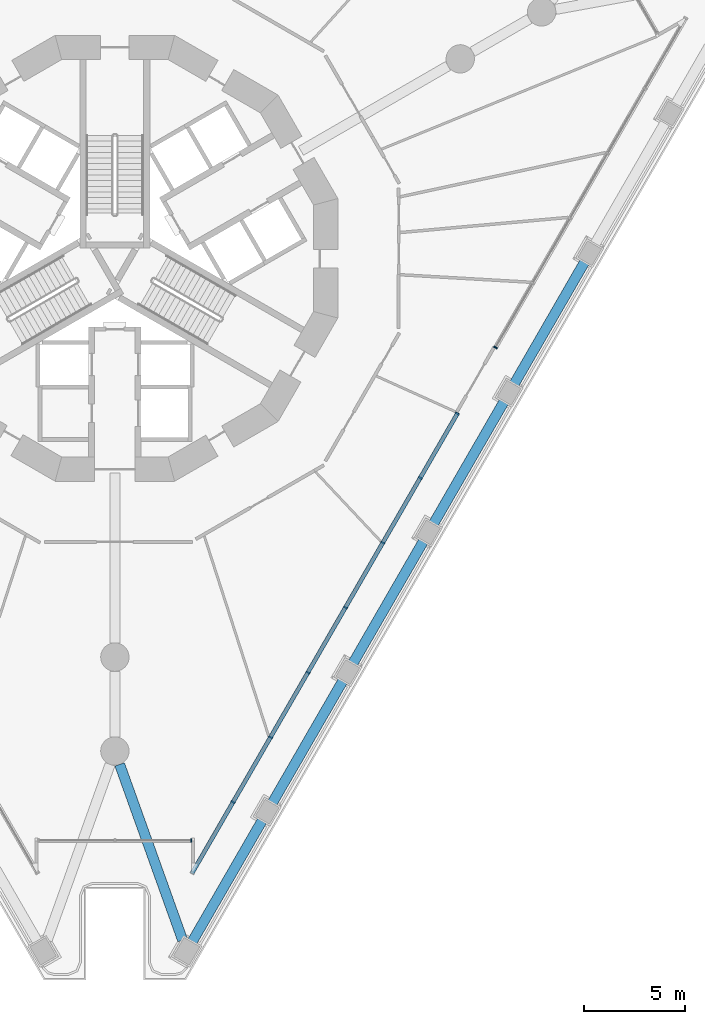
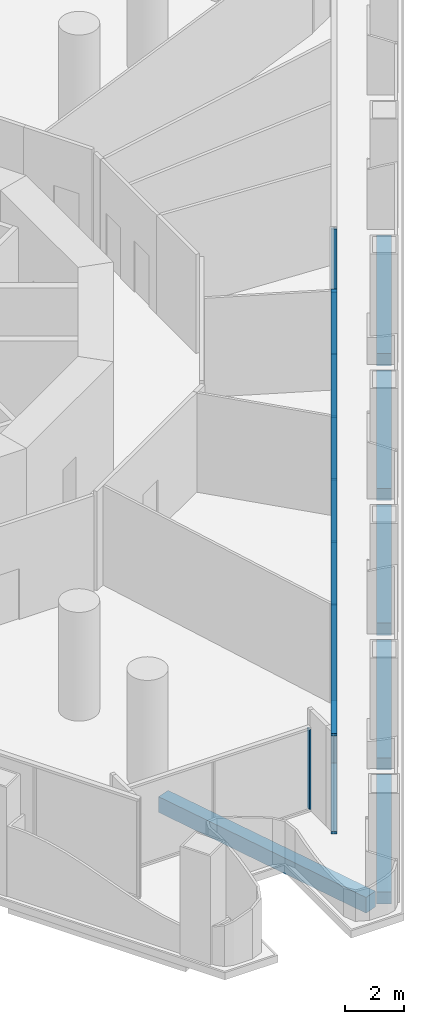
# One storey, part 4 of 21: 11 members, 6 beams, 3 elements without a shape of their own.
"""IFC4 building model written with IfcOpenShell, lengths in metres."""

import ifcopenshell
import ifcopenshell.guid

model = None  # the IFC model being written
_history = None  # IfcOwnerHistory: only IFC2X3 demands one
_inside = {}  # id of a spatial element -> (the spatial element, [elements in it])
_under = {}  # id of a project, library or spatial element -> (it, [spatial elements below it])
_declared = {}  # id of a project -> (the project, [libraries it declares])
_typed = {}  # id of a type object -> (the type object, [elements of that type])
_made_of = {}  # id of a material, layer set ... -> (it, [elements and type objects made of it])


def new_model(schema):
    """Start an empty IFC model of exactly this schema.

    Asked for "IFC4X3", IfcOpenShell would pick the latest addendum, in which some entities
    have other attributes; the version numbers below select the first issue.
    IFC2X3 requires an IfcOwnerHistory on every rooted entity: one is made here for all.
    """
    global model, _history
    if schema == "IFC4X3":
        model = ifcopenshell.file(schema_version=(4, 3, 0, 0))
    else:
        model = ifcopenshell.file(schema=schema)
    _inside.clear()
    _under.clear()
    _declared.clear()
    _typed.clear()
    _made_of.clear()
    _history = None
    if model.schema == "IFC2X3":
        org = make("IfcOrganization", Name="unknown")
        user = make(
            "IfcPersonAndOrganization",
            ThePerson=make("IfcPerson", FamilyName="unknown"),
            TheOrganization=org,
        )
        app = make(
            "IfcApplication",
            ApplicationDeveloper=org,
            Version="unknown",
            ApplicationFullName="unknown",
            ApplicationIdentifier="unknown",
        )
        _history = make(
            "IfcOwnerHistory",
            OwningUser=user,
            OwningApplication=app,
            ChangeAction="ADDED",
            CreationDate=0,
        )
    return model


def make(cls, **values):
    """One entity of the class cls with the attributes given. An attribute that is None is left unset."""
    return model.create_entity(
        cls, **{name: value for name, value in values.items() if value is not None}
    )


def rooted(cls, **values):
    """An entity with a GlobalId (a new one), such as an element, a storey or a relation."""
    return make(cls, GlobalId=ifcopenshell.guid.new(), OwnerHistory=_history, **values)


def si_unit(unit_type, name, prefix=None):
    """IfcSIUnit, for example si_unit("LENGTHUNIT", "METRE", prefix="MILLI")."""
    return make("IfcSIUnit", UnitType=unit_type, Prefix=prefix, Name=name)


def assignment(units):
    """IfcUnitAssignment: the units of a project."""
    return None if units is None else make("IfcUnitAssignment", Units=units)


def point(xyz):
    """IfcCartesianPoint."""
    return None if xyz is None else make("IfcCartesianPoint", Coordinates=xyz)


def direction(xyz):
    """IfcDirection."""
    return None if xyz is None else make("IfcDirection", DirectionRatios=xyz)


def frame(location, z_axis=None, x_axis=None):
    """IfcAxis2Placement3D, a coordinate frame: its origin and axes. An axis left out is left unset."""
    return make(
        "IfcAxis2Placement3D",
        Location=point(location),
        Axis=direction(z_axis),
        RefDirection=direction(x_axis),
    )


def frame_2d(location, x_axis=None):
    """IfcAxis2Placement2D, a coordinate frame in the plane: its origin and x axis."""
    return make(
        "IfcAxis2Placement2D", Location=point(location), RefDirection=direction(x_axis)
    )


def origin():
    """The frame at (0, 0, 0) with its axes left unset."""
    return frame((0.0, 0.0, 0.0))


def origin_2d():
    """The frame at (0, 0) in the plane with its x axis left unset."""
    return frame_2d((0.0, 0.0))


def place(relative_to, where):
    """IfcLocalPlacement: puts the frame where relative to a parent placement (None: the world)."""
    return make(
        "IfcLocalPlacement", PlacementRelTo=relative_to, RelativePlacement=where
    )


def context(
    kind, dimensions, precision=None, world=None, true_north=None, identifier=None
):
    """IfcGeometricRepresentationContext, for example the 3D "Model" context."""
    return make(
        "IfcGeometricRepresentationContext",
        ContextIdentifier=identifier,
        ContextType=kind,
        CoordinateSpaceDimension=dimensions,
        Precision=precision,
        WorldCoordinateSystem=world,
        TrueNorth=true_north,
    )


def subcontext(parent, identifier, kind, view, scale=None):
    """IfcGeometricRepresentationSubContext, for example "Body" below "Model"."""
    return make(
        "IfcGeometricRepresentationSubContext",
        ContextIdentifier=identifier,
        ContextType=kind,
        ParentContext=parent,
        TargetScale=scale,
        TargetView=view,
    )


def project(units=None, contexts=None):
    """IfcProject with its units and contexts."""
    return rooted(
        "IfcProject",
        Name="project",
        RepresentationContexts=contexts,
        UnitsInContext=assignment(units),
    )


def spatial(cls, under=None, at=None, **own):
    """A site, building, storey or space (cls), placed at a placement, below another one or the project."""
    s = rooted(cls, ObjectPlacement=at, **own)
    if under is not None:
        _under.setdefault(under.id(), (under, []))[1].append(s)
    return s


def profile(cls, at=None, kind="AREA", **sizes):
    """A parametric profile (cls). Its sizes go by their IFC names, for example OverallWidth=200.0."""
    return make(cls, ProfileType=kind, Position=at, **sizes)


def rectangle(**sizes):
    """IfcRectangleProfileDef."""
    return profile("IfcRectangleProfileDef", **sizes)


def extrude(swept, where, along, depth):
    """IfcExtrudedAreaSolid: the profile swept, set in the frame where, extruded along a direction by depth."""
    return make(
        "IfcExtrudedAreaSolid",
        SweptArea=swept,
        Position=where,
        ExtrudedDirection=direction(along),
        Depth=depth,
    )


def shape(context_of_items, identifier, shape_type, items):
    """IfcShapeRepresentation: the items that make up one representation, for example the "Body"."""
    return make(
        "IfcShapeRepresentation",
        ContextOfItems=context_of_items,
        RepresentationIdentifier=identifier,
        RepresentationType=shape_type,
        Items=items,
    )


def material(Name=None, Category=None):
    """IfcMaterial."""
    return make("IfcMaterial", Name=Name, Category=Category)


def layer(
    of_material, thickness, ventilated=None, Name=None, Category=None, Priority=None
):
    """IfcMaterialLayer: one layer of a wall or slab, of a material (None: an air gap)."""
    return make(
        "IfcMaterialLayer",
        Material=of_material,
        LayerThickness=thickness,
        IsVentilated=ventilated,
        Name=Name,
        Category=Category,
        Priority=Priority,
    )


def layer_set(layers, Name=None):
    """IfcMaterialLayerSet."""
    return make("IfcMaterialLayerSet", MaterialLayers=layers, LayerSetName=Name)


def material_profile(
    of_material, cross_section, Name=None, Category=None, Priority=None
):
    """IfcMaterialProfile: a cross section and its material."""
    return make(
        "IfcMaterialProfile",
        Name=Name,
        Material=of_material,
        Profile=cross_section,
        Priority=Priority,
        Category=Category,
    )


def profile_set(profiles, Name=None, composite=None):
    """IfcMaterialProfileSet."""
    return make(
        "IfcMaterialProfileSet",
        Name=Name,
        MaterialProfiles=profiles,
        CompositeProfile=composite,
    )


def made_of(thing, what):
    """Note that an element or type object is made of a material, layer set ...; save() writes the relation."""
    if what is not None:
        _made_of.setdefault(what.id(), (what, []))[1].append(thing)
    return thing


def type_object(cls, material=None, **own):
    """A type object (cls), such as IfcWallType, which elements share."""
    return made_of(rooted(cls, **own), material)


def element(
    cls,
    number,
    at=None,
    inside=None,
    cuts=None,
    type_object=None,
    material=None,
    context=None,
    identifier="Body",
    shape_type=None,
    held_by="IfcProductDefinitionShape",
    body=None,
    shapes=None,
    **own,
):
    """One element of the class cls, such as IfcWall. Its Tag is "e" and its number.

    at: its placement. inside: the storey or other place that contains it. cuts: it is an
    opening in that element (IfcRelVoidsElement). A single representation is given by context,
    identifier, shape_type and body (its items); several are given by shapes. held_by: the class
    of the entity that holds the representations. save() writes the other relations.
    """
    e = rooted(cls, Tag="e%d" % number, ObjectPlacement=at, **own)
    if body is not None:
        shapes = [shape(context, identifier, shape_type, body)]
    if shapes is not None:
        e.Representation = make(held_by, Representations=shapes)
    if inside is not None:
        _inside.setdefault(inside.id(), (inside, []))[1].append(e)
    if cuts is not None:
        rooted(
            "IfcRelVoidsElement", RelatingBuildingElement=cuts, RelatedOpeningElement=e
        )
    if type_object is not None:
        _typed.setdefault(type_object.id(), (type_object, []))[1].append(e)
    return made_of(e, material)


def aggregate(whole, parts):
    """IfcRelAggregates: a whole, such as a stair, and the parts it consists of."""
    return rooted("IfcRelAggregates", RelatingObject=whole, RelatedObjects=parts)


def save(model, path):
    """Write the relations noted so far, then the file.

    IfcRelAggregates (storeys below a building ...), IfcRelContainedInSpatialStructure (elements
    in a storey), IfcRelDefinesByType, IfcRelAssociatesMaterial and IfcRelDeclares: one each for
    every whole, place, type object, material and project.
    """
    for whole, parts in _under.values():
        aggregate(whole, parts)
    for where, things in _inside.values():
        rooted(
            "IfcRelContainedInSpatialStructure",
            RelatedElements=things,
            RelatingStructure=where,
        )
    for kind, things in _typed.values():
        rooted("IfcRelDefinesByType", RelatedObjects=things, RelatingType=kind)
    for what, things in _made_of.values():
        rooted("IfcRelAssociatesMaterial", RelatedObjects=things, RelatingMaterial=what)
    for by, libraries in _declared.values():
        rooted("IfcRelDeclares", RelatingContext=by, RelatedDefinitions=libraries)
    model.write(path)


model = new_model("IFC4")

# Units and contexts
model_context = context("Model", 3, precision=1e-05, world=origin(), true_north=direction((0.0, 1.0)))
body_context = subcontext(model_context, "Body", "Model", "MODEL_VIEW")
ifc_project = project(units=[si_unit("LENGTHUNIT", "METRE"), si_unit("AREAUNIT", "SQUARE_METRE"), si_unit("VOLUMEUNIT", "CUBIC_METRE"), si_unit("PLANEANGLEUNIT", "RADIAN"), si_unit("MASSUNIT", "GRAM", prefix="KILO")], contexts=[model_context])

# Site, building, storey
site_placement = place(None, origin())
site = spatial("IfcSite", under=ifc_project, at=site_placement, CompositionType="ELEMENT")
building_placement = place(site_placement, origin())
building = spatial("IfcBuilding", under=site, at=building_placement, Name="Trine Commons Tower", CompositionType="ELEMENT")
storey_placement = place(building_placement, frame((0.0, 0.0, 13.5)))
storey = spatial("IfcBuildingStorey", under=building, at=storey_placement, Name="L02", CompositionType="ELEMENT", Elevation=13.5)

# Curtain wall, member
ifc_material_1 = material(Name="Corner pocket glazing: anodised aluminium frame with low-emissivity double glazed unit, laminated", Category="aluminium")
ifc_layer_1 = layer(ifc_material_1, 0.179931640625)
ifc_layer_set_1 = layer_set([ifc_layer_1], Name="Corner pocket glazing: anodised aluminium frame with low-emissivity double glazed unit, laminated")
curtain_wall_type_1 = type_object("IfcCurtainWallType", Name="Corner pocket glazing curtain wall CW8", PredefinedType="NOTDEFINED", material=ifc_layer_set_1)
curtain_wall_1_placement = place(storey_placement, origin())
curtain_wall_1 = element("IfcCurtainWall", 1, at=curtain_wall_1_placement, inside=storey, type_object=curtain_wall_type_1, Name="Corner pocket glazing L02 P3.1", PredefinedType="NOTDEFINED")
ifc_material_2 = material(Name="Anodised aluminium, bronze finish", Category="aluminium")
ifc_material_profile_1 = material_profile(ifc_material_2, rectangle(XDim=0.179931640625, YDim=0.06494140625, at=origin_2d()), Name="Mullion 65x180")
ifc_profile_set_1 = profile_set([ifc_material_profile_1], Name="Anodised aluminium, bronze finish")
member_type_1 = type_object("IfcMemberType", Name="Mullion 65x180, Anodised aluminium, bronze finish", PredefinedType="MULLION", material=ifc_profile_set_1)
member_1_placement = place(storey_placement, frame((83.767578125, 33.74072265625, 0.090087890625), z_axis=(0.0, 0.0, 1.0), x_axis=(0.0, -1.0, 0.0)))
member_1 = element("IfcMember", 2, at=member_1_placement, type_object=member_type_1, Name="CW8 mullion 1.1", PredefinedType="MULLION", context=body_context, shape_type="SweptSolid", body=[
    extrude(rectangle(XDim=0.179931640625, YDim=0.06494140625, at=origin_2d()), origin(), (0.0, 0.0, 1.0), 3.2998046875),
])
aggregate(curtain_wall_1, [member_1])

ifc_material_3 = material(Name="Podium glazing: anodised aluminium frame with low-emissivity double glazed unit", Category="aluminium")
ifc_layer_2 = layer(ifc_material_3, 0.199951171875)
ifc_layer_set_2 = layer_set([ifc_layer_2], Name="Podium glazing: anodised aluminium frame with low-emissivity double glazed unit")
curtain_wall_type_2 = type_object("IfcCurtainWallType", Name="Podium glazing curtain wall CW3", PredefinedType="NOTDEFINED", material=ifc_layer_set_2)
curtain_wall_2_placement = place(storey_placement, origin())
curtain_wall_2 = element("IfcCurtainWall", 3, at=curtain_wall_2_placement, inside=storey, type_object=curtain_wall_type_2, Name="Podium glazing L02 F2.1", PredefinedType="NOTDEFINED")
ifc_material_profile_2 = material_profile(ifc_material_2, rectangle(XDim=0.199951171875, YDim=0.074951171875, at=origin_2d()), Name="Mullion 75x200")
ifc_profile_set_2 = profile_set([ifc_material_profile_2], Name="Anodised aluminium, bronze finish")
member_type_2 = type_object("IfcMemberType", Name="Mullion 75x200, Anodised aluminium, bronze finish", PredefinedType="MULLION", material=ifc_profile_set_2)
member_2_placement = place(storey_placement, frame((98.80126953125, 58.095458984375, 0.10009765625), z_axis=(0.0, 0.0, 1.0), x_axis=(0.866025403784, -0.5, 0.0)))
member_2 = element("IfcMember", 4, at=member_2_placement, type_object=member_type_2, Name="CW3 mullion 6.1", PredefinedType="MULLION", context=body_context, shape_type="SweptSolid", body=[
    extrude(rectangle(XDim=0.199951171875, YDim=0.074951171875, at=origin_2d()), origin(), (0.0, 0.0, 1.0), 3.949951171875),
])
aggregate(curtain_wall_2, [member_2])

# Curtain wall, members
curtain_wall_3_placement = place(storey_placement, origin())
curtain_wall_3 = element("IfcCurtainWall", 5, at=curtain_wall_3_placement, inside=storey, type_object=curtain_wall_type_2, Name="Podium glazing L02 F2.2", PredefinedType="NOTDEFINED")
member_3_placement = place(storey_placement, frame((96.914306640625, 54.8271484375, 0.10009765625), z_axis=(0.0, 0.0, 1.0), x_axis=(0.866025403784, -0.5, 0.0)))
member_3 = element("IfcMember", 6, at=member_3_placement, type_object=member_type_2, Name="CW3 mullion 1.1", PredefinedType="MULLION", context=body_context, shape_type="SweptSolid", body=[
    extrude(rectangle(XDim=0.199951171875, YDim=0.074951171875, at=origin_2d()), origin(), (0.0, 0.0, 1.0), 3.949951171875),
])
member_4_placement = place(storey_placement, frame((95.08349609375, 51.65625, 0.10009765625), z_axis=(0.0, 0.0, 1.0), x_axis=(0.866025403784, -0.5, 0.0)))
member_4 = element("IfcMember", 7, at=member_4_placement, type_object=member_type_2, Name="CW3 mullion 2.1", PredefinedType="MULLION", context=body_context, shape_type="SweptSolid", body=[
    extrude(rectangle(XDim=0.199951171875, YDim=0.074951171875, at=origin_2d()), origin(), (0.0, 0.0, 1.0), 3.949951171875),
])
member_5_placement = place(storey_placement, frame((93.234130859375, 48.452880859375, 0.10009765625), z_axis=(0.0, 0.0, 1.0), x_axis=(0.866025403784, -0.5, 0.0)))
member_5 = element("IfcMember", 8, at=member_5_placement, type_object=member_type_2, Name="CW3 mullion 3.1", PredefinedType="MULLION", context=body_context, shape_type="SweptSolid", body=[
    extrude(rectangle(XDim=0.199951171875, YDim=0.074951171875, at=origin_2d()), origin(), (0.0, 0.0, 1.0), 3.949951171875),
])
member_6_placement = place(storey_placement, frame((91.384521484375, 45.24951171875, 0.10009765625), z_axis=(0.0, 0.0, 1.0), x_axis=(0.866025403784, -0.5, 0.0)))
member_6 = element("IfcMember", 9, at=member_6_placement, type_object=member_type_2, Name="CW3 mullion 4.1", PredefinedType="MULLION", context=body_context, shape_type="SweptSolid", body=[
    extrude(rectangle(XDim=0.199951171875, YDim=0.074951171875, at=origin_2d()), origin(), (0.0, 0.0, 1.0), 3.949951171875),
])
member_7_placement = place(storey_placement, frame((89.53515625, 42.046142578125, 0.10009765625), z_axis=(0.0, 0.0, 1.0), x_axis=(0.866025403784, -0.5, 0.0)))
member_7 = element("IfcMember", 10, at=member_7_placement, type_object=member_type_2, Name="CW3 mullion 5.1", PredefinedType="MULLION", context=body_context, shape_type="SweptSolid", body=[
    extrude(rectangle(XDim=0.199951171875, YDim=0.074951171875, at=origin_2d()), origin(), (0.0, 0.0, 1.0), 3.949951171875),
])
member_8_placement = place(storey_placement, frame((87.685791015625, 38.843017578125, 0.10009765625), z_axis=(0.0, 0.0, 1.0), x_axis=(0.866025403784, -0.5, 0.0)))
member_8 = element("IfcMember", 11, at=member_8_placement, type_object=member_type_2, Name="CW3 mullion 6.1", PredefinedType="MULLION", context=body_context, shape_type="SweptSolid", body=[
    extrude(rectangle(XDim=0.199951171875, YDim=0.074951171875, at=origin_2d()), origin(), (0.0, 0.0, 1.0), 3.949951171875),
])
member_9_placement = place(storey_placement, frame((85.836181640625, 35.639404296875, 0.10009765625), z_axis=(0.0, 0.0, 1.0), x_axis=(0.866025403784, -0.5, 0.0)))
member_9 = element("IfcMember", 12, at=member_9_placement, type_object=member_type_2, Name="CW3 mullion 7.1", PredefinedType="MULLION", context=body_context, shape_type="SweptSolid", body=[
    extrude(rectangle(XDim=0.199951171875, YDim=0.074951171875, at=origin_2d()), origin(), (0.0, 0.0, 1.0), 3.949951171875),
])

# Beams
ifc_material_4 = material(Name="Concrete C50/60", Category="concrete")
ifc_material_profile_3 = material_profile(ifc_material_4, rectangle(XDim=0.5, YDim=0.5, at=origin_2d()), Name="RC 500x500")
ifc_profile_set_3 = profile_set([ifc_material_profile_3], Name="Concrete C50/60")
beam_type_1 = type_object("IfcBeamType", Name="RC beam 500x500, C50/60", PredefinedType="BEAM", material=ifc_profile_set_3)
for number, where, z_axis, x_axis, name in (
    (13, (103.21533203125, 62.341064453125, -0.60009765625), (-0.499991645397, -0.866030227263, 0.0), (0.866030227263, -0.499991645397, 0.0), "Beam EB1-17 L02"),
    (14, (99.233642578125, 55.444580078125, -0.60009765625), (-0.499991645397, -0.866030227263, 0.0), (0.866030227263, -0.499991645397, 0.0), "Beam EB1-18 L02"),
    (15, (95.251953125, 48.548095703125, -0.60009765625), (-0.499991645397, -0.866030227263, 0.0), (0.866030227263, -0.499991645397, 0.0), "Beam EB1-19 L02"),
):
    element("IfcBeam", number, at=place(storey_placement, frame(where, z_axis=z_axis, x_axis=x_axis)), inside=storey, type_object=beam_type_1, Name=name, PredefinedType="BEAM", context=body_context, shape_type="SweptSolid", body=[
        extrude(rectangle(XDim=0.5, YDim=0.5, at=origin_2d()), origin(), (0.0, 0.0, 1.0), 7.01318359375),
    ])
beam_1_placement = place(storey_placement, frame((91.2705078125, 41.651611328125, -0.60009765625), z_axis=(-0.500017753321, -0.866015153657, 0.0), x_axis=(0.866015153657, -0.500017753321, 0.0)))
element("IfcBeam", 16, at=beam_1_placement, inside=storey, type_object=beam_type_1, Name="Beam EB1-20 L02", PredefinedType="BEAM", context=body_context, shape_type="SweptSolid", body=[
    extrude(rectangle(XDim=0.5, YDim=0.5, at=origin_2d()), origin(), (0.0, 0.0, 1.0), 7.013427734375),
])
beam_2_placement = place(storey_placement, frame((87.288818359375, 34.755126953125, -0.60009765625), z_axis=(-0.500022902661, -0.866012180523, 0.0), x_axis=(0.866012180523, -0.500022902661, 0.0)))
element("IfcBeam", 17, at=beam_2_placement, inside=storey, type_object=beam_type_1, Name="Beam EB1-21 L02", PredefinedType="BEAM", context=body_context, shape_type="SweptSolid", body=[
    extrude(rectangle(XDim=0.5, YDim=0.5, at=origin_2d()), origin(), (0.0, 0.0, 1.0), 6.963623046875),
])
ifc_material_profile_4 = material_profile(ifc_material_4, rectangle(XDim=0.5, YDim=0.64990234375, at=origin_2d()), Name="RC 500x650")
ifc_profile_set_4 = profile_set([ifc_material_profile_4], Name="Concrete C50/60")
beam_type_2 = type_object("IfcBeamType", Name="RC beam 500x650, C50/60", PredefinedType="BEAM", material=ifc_profile_set_4)
beam_3_placement = place(storey_placement, frame((83.345458984375, 28.8251953125, -0.675048828125), z_axis=(-0.337305880684, 0.941395104542, 0.0), x_axis=(-0.941395104542, -0.337305880684, 0.0)))
element("IfcBeam", 18, at=beam_3_placement, inside=storey, type_object=beam_type_2, Name="Beam CB1-05 L02", PredefinedType="BEAM", context=body_context, shape_type="SweptSolid", body=[
    extrude(rectangle(XDim=0.5, YDim=0.64990234375, at=origin_2d()), origin(), (0.0, 0.0, 1.0), 9.218994140625),
])

# Member
ifc_material_profile_5 = material_profile(ifc_material_2, rectangle(XDim=0.199951171875, YDim=0.10009765625, at=origin_2d()), Name="Transom 100x200")
ifc_profile_set_5 = profile_set([ifc_material_profile_5], Name="Anodised aluminium, bronze finish")
member_type_3 = type_object("IfcMemberType", Name="Transom 100x200, Anodised aluminium, bronze finish", PredefinedType="USERDEFINED", material=ifc_profile_set_5)
member_10_placement = place(storey_placement, frame((96.93310546875, 54.859619140625, 0.050048828125), z_axis=(-0.500000841554, -0.866024917912, 0.0), x_axis=(0.866024917912, -0.500000841554, 0.0)))
member_10 = element("IfcMember", 19, at=member_10_placement, type_object=member_type_3, Name="CW3 transom T00", ObjectType="TRANSOM", PredefinedType="USERDEFINED", context=body_context, shape_type="SweptSolid", body=[
    extrude(rectangle(XDim=0.199951171875, YDim=0.10009765625, at=origin_2d()), origin(), (0.0, 0.0, 1.0), 26.26611328125),
])

member_11_placement = place(storey_placement, frame((96.93310546875, 54.859619140625, 4.10009765625), z_axis=(-0.500000841554, -0.866024917912, 0.0), x_axis=(0.866024917912, -0.500000841554, 0.0)))
member_11 = element("IfcMember", 20, at=member_11_placement, type_object=member_type_3, Name="CW3 transom TH00", ObjectType="TRANSOM", PredefinedType="USERDEFINED", context=body_context, shape_type="SweptSolid", body=[
    extrude(rectangle(XDim=0.199951171875, YDim=0.10009765625, at=origin_2d()), origin(), (0.0, 0.0, 1.0), 26.26611328125),
])

aggregate(curtain_wall_3, [member_10, member_11, member_3, member_4, member_5, member_6, member_7, member_8, member_9])

save(model, "model.ifc")
